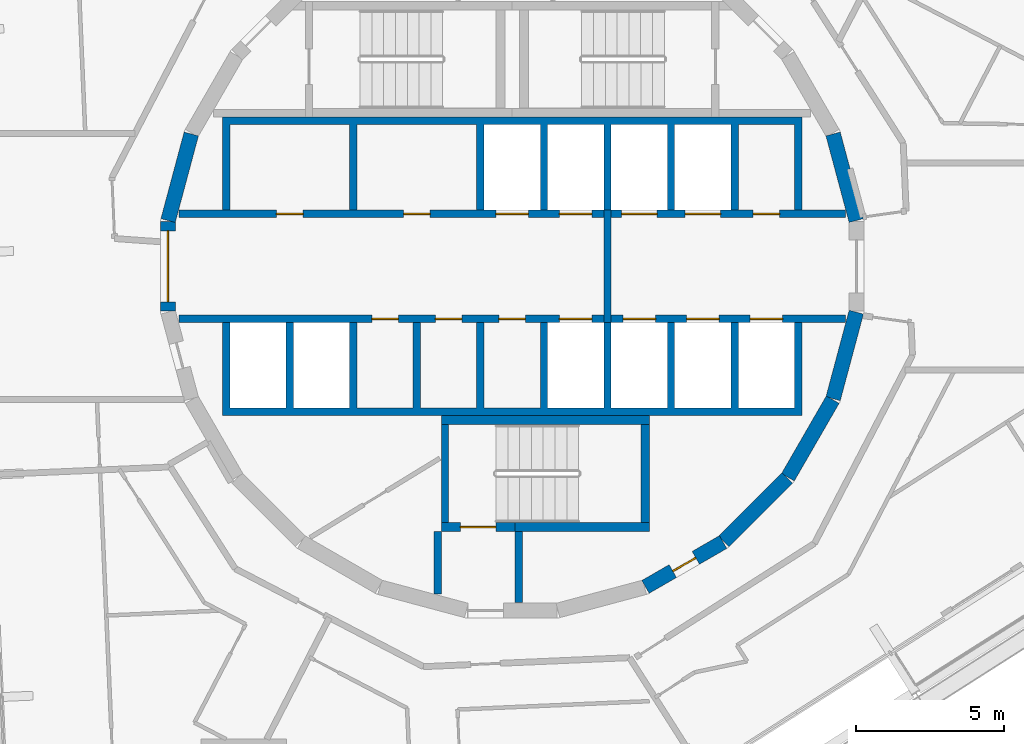
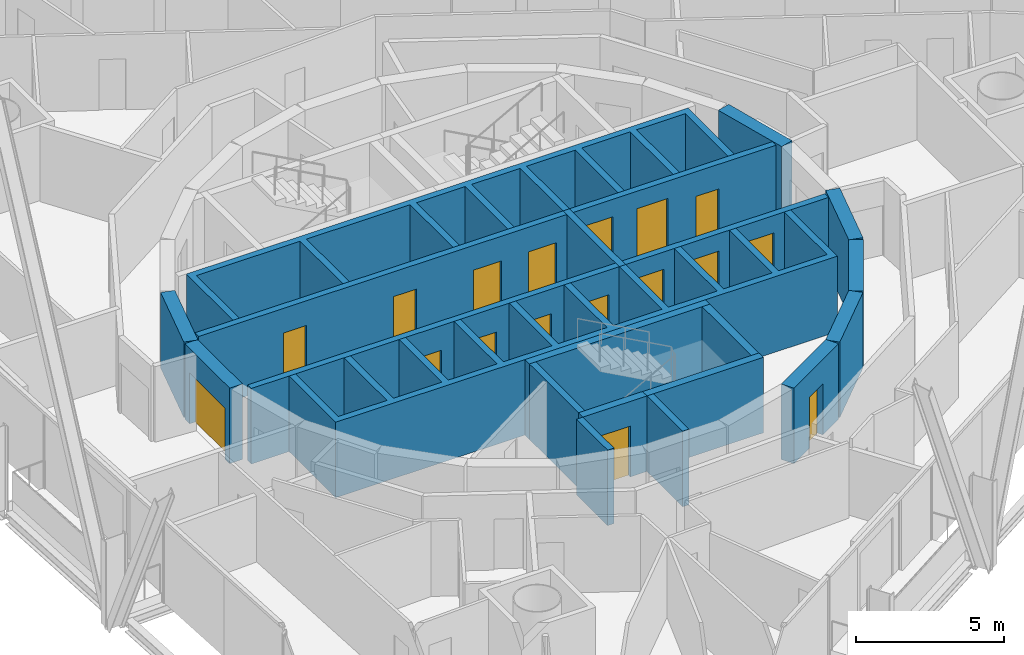
# One storey, part 13 of 18: 21 walls, 17 doors, 17 openings.
"""IFC4 building model written with IfcOpenShell, lengths in metres."""

from ifc_helpers import new_model, si_unit, direction, frame, frame_2d, origin, place, context, subcontext, project, spatial, polyline, rectangle, outline, extrude, material, layer, layer_set, type_object, element, fill, save


model = new_model("IFC4")

# Units and contexts
model_context = context("Model", 3, precision=1e-05, world=origin(), true_north=direction((0.0, 1.0)))
body_context = subcontext(model_context, "Body", "Model", "MODEL_VIEW")
ifc_project = project(units=[si_unit("LENGTHUNIT", "METRE"), si_unit("AREAUNIT", "SQUARE_METRE"), si_unit("VOLUMEUNIT", "CUBIC_METRE"), si_unit("PLANEANGLEUNIT", "RADIAN"), si_unit("MASSUNIT", "GRAM", prefix="KILO")], contexts=[model_context])

# Site, building, storey
site_placement = place(None, origin())
site = spatial("IfcSite", under=ifc_project, at=site_placement, CompositionType="ELEMENT")
building_placement = place(site_placement, origin())
building = spatial("IfcBuilding", under=site, at=building_placement, Name="Spindle Arch Residences", CompositionType="ELEMENT")
storey_placement = place(building_placement, frame((0.0, 0.0, 240.699951171875)))
storey = spatial("IfcBuildingStorey", under=building, at=storey_placement, Name="L61", CompositionType="ELEMENT", Elevation=240.699951171875)

# Wall, opening, door
ifc_material_1 = material(Name="Concrete C50/60", Category="concrete")
ifc_layer_1 = layer(ifc_material_1, 0.5)
ifc_layer_set_1 = layer_set([ifc_layer_1], Name="Core outline wall 500")
wall_type_1 = type_object("IfcWallType", Name="Core outline wall 500", PredefinedType="SHEAR", material=ifc_layer_set_1)
wall_1_placement = place(storey_placement, frame((4.510498046875, -10.84521484375, 0.0), z_axis=(0.0, 0.0, 1.0), x_axis=(0.865975092491, 0.500087131594, 0.0)))
wall_1 = element("IfcWall", 1, at=wall_1_placement, inside=storey, type_object=wall_type_1, Name="Core outline wall 2", PredefinedType="SHEAR", context=body_context, shape_type="SweptSolid", body=[
    extrude(rectangle(XDim=3.03271484375, YDim=0.5, at=frame_2d((1.516357421875, 0.0))), origin(), (0.0, 0.0, 1.0), 3.1201171875),
])
opening_1_placement = place(wall_1_placement, frame((1.06640625, 0.0, 0.0)))
opening_1 = element("IfcOpeningElement", 2, at=opening_1_placement, cuts=wall_1, Name="Opening R6B0-WD10", PredefinedType="OPENING", context=body_context, shape_type="SweptSolid", body=[
    extrude(rectangle(XDim=0.89990234375, YDim=2.10009765625, at=frame_2d((0.449951171875, 1.050048828125))), frame((0.0, 0.260009765625, 0.0), z_axis=(0.0, -1.0, 0.0), x_axis=(1.0, 0.0, 0.0)), (0.0, 0.0, 1.0), 0.52001953125),
])
ifc_material_2 = material(Name="Steel, fire-resisting door", Category="steel")
door_type_1 = type_object("IfcDoorType", Name="Service room door 900x2100", OperationType="SINGLE_SWING_LEFT", PredefinedType="DOOR", material=ifc_material_2)
door_1_placement = place(opening_1_placement, origin())
door_1 = element("IfcDoor", 3, at=door_1_placement, inside=storey, type_object=door_type_1, Name="Service room door R6B0-WD10", OperationType="SINGLE_SWING_RIGHT", OverallHeight=2.10009765625, OverallWidth=0.89990234375, PredefinedType="DOOR", context=body_context, shape_type="SweptSolid", body=[
    extrude(rectangle(XDim=0.89990234375, YDim=2.10009765625, at=frame_2d((0.449951171875, 1.050048828125))), frame((0.0, 0.02490234375, 0.0), z_axis=(0.0, -1.0, 0.0), x_axis=(1.0, 0.0, 0.0)), (0.0, 0.0, 1.0), 0.050048828125),
])
fill(opening_1, door_1)

# Walls
wall_2_placement = place(storey_placement, frame((7.163818359375, -9.30810546875, 0.0), z_axis=(0.0, 0.0, 1.0), x_axis=(0.707106781187, 0.707106781187, 0.0)))
element("IfcWall", 4, at=wall_2_placement, inside=storey, type_object=wall_type_1, Name="Core outline wall 3", PredefinedType="SHEAR", context=body_context, shape_type="SweptSolid", body=[
    extrude(rectangle(XDim=3.032470703125, YDim=0.5, at=frame_2d((1.51611328125, 0.0))), origin(), (0.0, 0.0, 1.0), 3.1201171875),
])
for number, where, z_axis, x_axis, name in (
    (5, (9.32861328125, -7.13671875, 0.0), (0.0, 0.0, 1.0), (0.500087131594, 0.865975092491, 0.0), "Core outline wall 4"),
    (6, (10.858154296875, -4.479248046875, 0.0), (0.0, 0.0, 1.0), (0.258734743916, 0.965948410781, 0.0), "Core outline wall 5"),
    (7, (11.642822265625, 1.5498046875, 0.0), (0.0, 0.0, 1.0), (-0.258734743916, 0.965948410781, 0.0), "Core outline wall 7"),
    (8, (-10.858154296875, 4.479248046875, 0.0), (0.0, 0.0, 1.0), (-0.258734743916, -0.965948410781, 0.0), "Core outline wall 17"),
):
    element("IfcWall", number, at=place(storey_placement, frame(where, z_axis=z_axis, x_axis=x_axis)), inside=storey, type_object=wall_type_1, Name=name, PredefinedType="SHEAR", context=body_context, shape_type="SweptSolid", body=[
        extrude(rectangle(XDim=3.03271484375, YDim=0.5, at=frame_2d((1.516357421875, 0.0))), origin(), (0.0, 0.0, 1.0), 3.1201171875),
    ])

# Wall, opening, door
wall_3_placement = place(storey_placement, frame((-11.647216796875, 1.516357421875, 0.0), z_axis=(0.0, 0.0, 1.0), x_axis=(0.0, -1.0, 0.0)))
wall_3 = element("IfcWall", 9, at=wall_3_placement, inside=storey, type_object=wall_type_1, Name="Core outline wall 18", PredefinedType="SHEAR", context=body_context, shape_type="SweptSolid", body=[
    extrude(rectangle(XDim=3.03271484375, YDim=0.5, at=frame_2d((1.516357421875, 0.0))), origin(), (0.0, 0.0, 1.0), 3.1201171875),
])
opening_2_placement = place(wall_3_placement, frame((0.31640625, 0.0, 0.0)))
opening_2 = element("IfcOpeningElement", 10, at=opening_2_placement, cuts=wall_3, Name="Opening R6B0-LE01", PredefinedType="OPENING", context=body_context, shape_type="SweptSolid", body=[
    extrude(rectangle(XDim=2.39990234375, YDim=2.10009765625, at=frame_2d((1.199951171875, 1.050048828125))), frame((0.0, 0.260009765625, 0.0), z_axis=(0.0, -1.0, 0.0), x_axis=(1.0, 0.0, 0.0)), (0.0, 0.0, 1.0), 0.52001953125),
])
ifc_material_3 = material(Name="Steel, fire-resisting door", Category="steel")
door_type_2 = type_object("IfcDoorType", Name="Lift lobby entrance door 2400x2100", OperationType="DOUBLE_DOOR_SINGLE_SWING", PredefinedType="DOOR", material=ifc_material_3)
door_2_placement = place(opening_2_placement, origin())
door_2 = element("IfcDoor", 11, at=door_2_placement, inside=storey, type_object=door_type_2, Name="Lift lobby entrance door R6B0-LE01", OperationType="DOUBLE_DOOR_SINGLE_SWING", OverallHeight=2.10009765625, OverallWidth=2.39990234375, PredefinedType="DOOR", context=body_context, shape_type="SweptSolid", body=[
    extrude(rectangle(XDim=2.39990234375, YDim=2.10009765625, at=frame_2d((1.199951171875, 1.050048828125))), frame((0.0, 0.02490234375, 0.0), z_axis=(0.0, -1.0, 0.0), x_axis=(1.0, 0.0, 0.0)), (0.0, 0.0, 1.0), 0.050048828125),
])
fill(opening_2, door_2)

# Wall, openings, doors
ifc_material_4 = material(Name="Concrete C40/50", Category="concrete")
ifc_layer_2 = layer(ifc_material_4, 0.25)
ifc_layer_set_2 = layer_set([ifc_layer_2], Name="Fire-lift lobby wall 250")
wall_type_2 = type_object("IfcWallType", Name="Fire-lift lobby wall 250", PredefinedType="SHEAR", material=ifc_layer_set_2)
wall_4_placement = place(storey_placement, frame((3.35009765625, 1.77490234375, 0.0), z_axis=(0.0, 0.0, 1.0), x_axis=(1.0, 0.0, 0.0)))
wall_4 = element("IfcWall", 12, at=wall_4_placement, inside=storey, type_object=wall_type_2, Name="Lift shaft front wall NE", PredefinedType="SHEAR", context=body_context, shape_type="SweptSolid", body=[
    extrude(rectangle(XDim=7.929931640625, YDim=0.25, at=frame_2d((3.96484375, 0.0))), origin(), (0.0, 0.0, 1.0), 3.1201171875),
])
opening_3_placement = place(wall_4_placement, frame((0.35009765625, 0.0, 0.0)))
opening_3 = element("IfcOpeningElement", 13, at=opening_3_placement, cuts=wall_4, Name="Opening R6B0-SLD01", PredefinedType="OPENING", context=body_context, shape_type="SweptSolid", body=[
    extrude(rectangle(XDim=1.199951171875, YDim=2.39990234375, at=frame_2d((0.60009765625, 1.199951171875))), frame((0.0, 0.135009765625, 0.0), z_axis=(0.0, -1.0, 0.0), x_axis=(1.0, 0.0, 0.0)), (0.0, 0.0, 1.0), 0.27001953125),
])
opening_4_placement = place(wall_4_placement, frame((2.5, 0.0, 0.0)))
opening_4 = element("IfcOpeningElement", 14, at=opening_4_placement, cuts=wall_4, Name="Opening R6B0-SLD02", PredefinedType="OPENING", context=body_context, shape_type="SweptSolid", body=[
    extrude(rectangle(XDim=1.199951171875, YDim=2.39990234375, at=frame_2d((0.60009765625, 1.199951171875))), frame((0.0, 0.135009765625, 0.0), z_axis=(0.0, -1.0, 0.0), x_axis=(1.0, 0.0, 0.0)), (0.0, 0.0, 1.0), 0.27001953125),
])
opening_5_placement = place(wall_4_placement, frame((4.800048828125, 0.0, 0.0)))
opening_5 = element("IfcOpeningElement", 15, at=opening_5_placement, cuts=wall_4, Name="Opening R6B0-WD03", PredefinedType="OPENING", context=body_context, shape_type="SweptSolid", body=[
    extrude(rectangle(XDim=0.89990234375, YDim=2.10009765625, at=frame_2d((0.449951171875, 1.050048828125))), frame((0.0, 0.135009765625, 0.0), z_axis=(0.0, -1.0, 0.0), x_axis=(1.0, 0.0, 0.0)), (0.0, 0.0, 1.0), 0.27001953125),
])
ifc_material_5 = material(Name="Steel, fire-resisting landing door", Category="steel")
door_type_3 = type_object("IfcDoorType", Name="Service lift landing door 1200x2400", OperationType="DOUBLE_DOOR_SLIDING", PredefinedType="DOOR", material=ifc_material_5)
door_3_placement = place(opening_3_placement, origin())
door_3 = element("IfcDoor", 16, at=door_3_placement, inside=storey, type_object=door_type_3, Name="Service lift landing door R6B0-SLD01", OperationType="DOUBLE_DOOR_SLIDING", OverallHeight=2.39990234375, OverallWidth=1.199951171875, PredefinedType="DOOR", context=body_context, shape_type="SweptSolid", body=[
    extrude(rectangle(XDim=1.199951171875, YDim=2.39990234375, at=frame_2d((0.60009765625, 1.199951171875))), frame((0.0, 0.02490234375, 0.0), z_axis=(0.0, -1.0, 0.0), x_axis=(1.0, 0.0, 0.0)), (0.0, 0.0, 1.0), 0.050048828125),
])
fill(opening_3, door_3)
door_4_placement = place(opening_4_placement, origin())
door_4 = element("IfcDoor", 17, at=door_4_placement, inside=storey, type_object=door_type_3, Name="Service lift landing door R6B0-SLD02", OperationType="DOUBLE_DOOR_SLIDING", OverallHeight=2.39990234375, OverallWidth=1.199951171875, PredefinedType="DOOR", context=body_context, shape_type="SweptSolid", body=[
    extrude(rectangle(XDim=1.199951171875, YDim=2.39990234375, at=frame_2d((0.60009765625, 1.199951171875))), frame((0.0, 0.02490234375, 0.0), z_axis=(0.0, -1.0, 0.0), x_axis=(1.0, 0.0, 0.0)), (0.0, 0.0, 1.0), 0.050048828125),
])
fill(opening_4, door_4)
door_5_placement = place(opening_5_placement, origin())
door_5 = element("IfcDoor", 18, at=door_5_placement, inside=storey, type_object=door_type_1, Name="Service room door R6B0-WD03", OperationType="SINGLE_SWING_LEFT", OverallHeight=2.10009765625, OverallWidth=0.89990234375, PredefinedType="DOOR", context=body_context, shape_type="SweptSolid", body=[
    extrude(rectangle(XDim=0.89990234375, YDim=2.10009765625, at=frame_2d((0.449951171875, 1.050048828125))), frame((0.0, 0.02490234375, 0.0), z_axis=(0.0, -1.0, 0.0), x_axis=(1.0, 0.0, 0.0)), (0.0, 0.0, 1.0), 0.050048828125),
])
fill(opening_5, door_5)

# Wall
wall_5_placement = place(storey_placement, frame((3.22509765625, -1.89990234375, 0.0), z_axis=(0.0, 0.0, 1.0), x_axis=(0.0, 1.0, 0.0)))
element("IfcWall", 19, at=wall_5_placement, inside=storey, type_object=wall_type_2, Name="Fire-fighting lobby partition", PredefinedType="SHEAR", context=body_context, shape_type="SweptSolid", body=[
    extrude(rectangle(XDim=3.7998046875, YDim=0.25, at=frame_2d((1.89990234375, 0.0))), origin(), (0.0, 0.0, 1.0), 3.1201171875),
])

# Wall, openings, doors
ifc_material_6 = material(Name="Concrete C50/60", Category="concrete")
ifc_layer_3 = layer(ifc_material_6, 0.25)
ifc_layer_set_3 = layer_set([ifc_layer_3], Name="Fire-lift shaft wall 250")
wall_type_3 = type_object("IfcWallType", Name="Fire-lift shaft wall 250", PredefinedType="SHEAR", material=ifc_layer_set_3)
wall_6_placement = place(storey_placement, frame((3.35009765625, -1.77490234375, 0.0), z_axis=(0.0, 0.0, 1.0), x_axis=(1.0, 0.0, 0.0)))
wall_6 = element("IfcWall", 20, at=wall_6_placement, inside=storey, type_object=wall_type_3, Name="Lift shaft front wall SE", PredefinedType="SHEAR", context=body_context, shape_type="SweptSolid", body=[
    extrude(rectangle(XDim=7.929931640625, YDim=0.25, at=frame_2d((3.96484375, 0.0))), origin(), (0.0, 0.0, 1.0), 3.1201171875),
])
opening_6_placement = place(wall_6_placement, frame((0.39990234375, 0.0, 0.0)))
opening_6 = element("IfcOpeningElement", 21, at=opening_6_placement, cuts=wall_6, Name="Opening R6B0-FLD01", PredefinedType="OPENING", context=body_context, shape_type="SweptSolid", body=[
    extrude(rectangle(XDim=1.10009765625, YDim=2.39990234375, at=frame_2d((0.550048828125, 1.199951171875))), frame((0.0, 0.135009765625, 0.0), z_axis=(0.0, -1.0, 0.0), x_axis=(1.0, 0.0, 0.0)), (0.0, 0.0, 1.0), 0.27001953125),
])
opening_7_placement = place(wall_6_placement, frame((2.550048828125, 0.0, 0.0)))
opening_7 = element("IfcOpeningElement", 22, at=opening_7_placement, cuts=wall_6, Name="Opening R6B0-FLD02", PredefinedType="OPENING", context=body_context, shape_type="SweptSolid", body=[
    extrude(rectangle(XDim=1.10009765625, YDim=2.39990234375, at=frame_2d((0.550048828125, 1.199951171875))), frame((0.0, 0.135009765625, 0.0), z_axis=(0.0, -1.0, 0.0), x_axis=(1.0, 0.0, 0.0)), (0.0, 0.0, 1.0), 0.27001953125),
])
opening_8_placement = place(wall_6_placement, frame((4.699951171875, 0.0, 0.0)))
opening_8 = element("IfcOpeningElement", 23, at=opening_8_placement, cuts=wall_6, Name="Opening R6B0-FLD03", PredefinedType="OPENING", context=body_context, shape_type="SweptSolid", body=[
    extrude(rectangle(XDim=1.10009765625, YDim=2.39990234375, at=frame_2d((0.550048828125, 1.199951171875))), frame((0.0, 0.135009765625, 0.0), z_axis=(0.0, -1.0, 0.0), x_axis=(1.0, 0.0, 0.0)), (0.0, 0.0, 1.0), 0.27001953125),
])
ifc_material_7 = material(Name="Steel, fire-resisting landing door", Category="steel")
door_type_4 = type_object("IfcDoorType", Name="Fire-fighting lift landing door 1100x2400", OperationType="DOUBLE_DOOR_SLIDING", PredefinedType="DOOR", material=ifc_material_7)
door_6_placement = place(opening_6_placement, origin())
door_6 = element("IfcDoor", 24, at=door_6_placement, inside=storey, type_object=door_type_4, Name="Fire-fighting lift landing door R6B0-FLD01", OperationType="DOUBLE_DOOR_SLIDING", OverallHeight=2.39990234375, OverallWidth=1.10009765625, PredefinedType="DOOR", context=body_context, shape_type="SweptSolid", body=[
    extrude(rectangle(XDim=1.10009765625, YDim=2.39990234375, at=frame_2d((0.550048828125, 1.199951171875))), frame((0.0, 0.02490234375, 0.0), z_axis=(0.0, -1.0, 0.0), x_axis=(1.0, 0.0, 0.0)), (0.0, 0.0, 1.0), 0.050048828125),
])
fill(opening_6, door_6)
door_7_placement = place(opening_7_placement, origin())
door_7 = element("IfcDoor", 25, at=door_7_placement, inside=storey, type_object=door_type_4, Name="Fire-fighting lift landing door R6B0-FLD02", OperationType="DOUBLE_DOOR_SLIDING", OverallHeight=2.39990234375, OverallWidth=1.10009765625, PredefinedType="DOOR", context=body_context, shape_type="SweptSolid", body=[
    extrude(rectangle(XDim=1.10009765625, YDim=2.39990234375, at=frame_2d((0.550048828125, 1.199951171875))), frame((0.0, 0.02490234375, 0.0), z_axis=(0.0, -1.0, 0.0), x_axis=(1.0, 0.0, 0.0)), (0.0, 0.0, 1.0), 0.050048828125),
])
fill(opening_7, door_7)
door_8_placement = place(opening_8_placement, origin())
door_8 = element("IfcDoor", 26, at=door_8_placement, inside=storey, type_object=door_type_4, Name="Fire-fighting lift landing door R6B0-FLD03", OperationType="DOUBLE_DOOR_SLIDING", OverallHeight=2.39990234375, OverallWidth=1.10009765625, PredefinedType="DOOR", context=body_context, shape_type="SweptSolid", body=[
    extrude(rectangle(XDim=1.10009765625, YDim=2.39990234375, at=frame_2d((0.550048828125, 1.199951171875))), frame((0.0, 0.02490234375, 0.0), z_axis=(0.0, -1.0, 0.0), x_axis=(1.0, 0.0, 0.0)), (0.0, 0.0, 1.0), 0.050048828125),
])
fill(opening_8, door_8)

ifc_material_8 = material(Name="Concrete C50/60", Category="concrete")
ifc_layer_4 = layer(ifc_material_8, 0.25)
ifc_layer_set_4 = layer_set([ifc_layer_4], Name="Lift shaft wall 250")
wall_type_4 = type_object("IfcWallType", Name="Lift shaft wall 250", PredefinedType="SHEAR", material=ifc_layer_set_4)
wall_7_placement = place(storey_placement, frame((-11.280029296875, 1.77490234375, 0.0), z_axis=(0.0, 0.0, 1.0), x_axis=(1.0, 0.0, 0.0)))
wall_7 = element("IfcWall", 27, at=wall_7_placement, inside=storey, type_object=wall_type_4, Name="Lift shaft front wall NW", PredefinedType="SHEAR", context=body_context, shape_type="SweptSolid", body=[
    extrude(rectangle(XDim=14.380126953125, YDim=0.25, at=frame_2d((7.18994140625, 0.0))), origin(), (0.0, 0.0, 1.0), 3.1201171875),
])
opening_9_placement = place(wall_7_placement, frame((10.72998046875, 0.0, 0.0)))
opening_9 = element("IfcOpeningElement", 28, at=opening_9_placement, cuts=wall_7, Name="Opening R6B0-LD01", PredefinedType="OPENING", context=body_context, shape_type="SweptSolid", body=[
    extrude(rectangle(XDim=1.10009765625, YDim=2.10009765625, at=frame_2d((0.550048828125, 1.050048828125))), frame((0.0, 0.135009765625, 0.0), z_axis=(0.0, -1.0, 0.0), x_axis=(1.0, 0.0, 0.0)), (0.0, 0.0, 1.0), 0.27001953125),
])
opening_10_placement = place(wall_7_placement, frame((12.8798828125, 0.0, 0.0)))
opening_10 = element("IfcOpeningElement", 29, at=opening_10_placement, cuts=wall_7, Name="Opening R6B0-LD02", PredefinedType="OPENING", context=body_context, shape_type="SweptSolid", body=[
    extrude(rectangle(XDim=1.10009765625, YDim=2.10009765625, at=frame_2d((0.550048828125, 1.050048828125))), frame((0.0, 0.135009765625, 0.0), z_axis=(0.0, -1.0, 0.0), x_axis=(1.0, 0.0, 0.0)), (0.0, 0.0, 1.0), 0.27001953125),
])
opening_11_placement = place(wall_7_placement, frame((3.304931640625, 0.0, 0.0)))
opening_11 = element("IfcOpeningElement", 30, at=opening_11_placement, cuts=wall_7, Name="Opening R6B0-WD01", PredefinedType="OPENING", context=body_context, shape_type="SweptSolid", body=[
    extrude(rectangle(XDim=0.89990234375, YDim=2.10009765625, at=frame_2d((0.449951171875, 1.050048828125))), frame((0.0, 0.135009765625, 0.0), z_axis=(0.0, -1.0, 0.0), x_axis=(1.0, 0.0, 0.0)), (0.0, 0.0, 1.0), 0.27001953125),
])
opening_12_placement = place(wall_7_placement, frame((7.60498046875, 0.0, 0.0)))
opening_12 = element("IfcOpeningElement", 31, at=opening_12_placement, cuts=wall_7, Name="Opening R6B0-WD02", PredefinedType="OPENING", context=body_context, shape_type="SweptSolid", body=[
    extrude(rectangle(XDim=0.89990234375, YDim=2.10009765625, at=frame_2d((0.449951171875, 1.050048828125))), frame((0.0, 0.135009765625, 0.0), z_axis=(0.0, -1.0, 0.0), x_axis=(1.0, 0.0, 0.0)), (0.0, 0.0, 1.0), 0.27001953125),
])
ifc_material_9 = material(Name="Steel, fire-resisting landing door", Category="steel")
door_type_5 = type_object("IfcDoorType", Name="Lift landing door 1100x2100", OperationType="DOUBLE_DOOR_SLIDING", PredefinedType="DOOR", material=ifc_material_9)
door_9_placement = place(opening_9_placement, origin())
door_9 = element("IfcDoor", 32, at=door_9_placement, inside=storey, type_object=door_type_5, Name="Lift landing door R6B0-LD01", OperationType="DOUBLE_DOOR_SLIDING", OverallHeight=2.10009765625, OverallWidth=1.10009765625, PredefinedType="DOOR", context=body_context, shape_type="SweptSolid", body=[
    extrude(rectangle(XDim=1.10009765625, YDim=2.10009765625, at=frame_2d((0.550048828125, 1.050048828125))), frame((0.0, 0.02490234375, 0.0), z_axis=(0.0, -1.0, 0.0), x_axis=(1.0, 0.0, 0.0)), (0.0, 0.0, 1.0), 0.050048828125),
])
fill(opening_9, door_9)
door_10_placement = place(opening_10_placement, origin())
door_10 = element("IfcDoor", 33, at=door_10_placement, inside=storey, type_object=door_type_5, Name="Lift landing door R6B0-LD02", OperationType="DOUBLE_DOOR_SLIDING", OverallHeight=2.10009765625, OverallWidth=1.10009765625, PredefinedType="DOOR", context=body_context, shape_type="SweptSolid", body=[
    extrude(rectangle(XDim=1.10009765625, YDim=2.10009765625, at=frame_2d((0.550048828125, 1.050048828125))), frame((0.0, 0.02490234375, 0.0), z_axis=(0.0, -1.0, 0.0), x_axis=(1.0, 0.0, 0.0)), (0.0, 0.0, 1.0), 0.050048828125),
])
fill(opening_10, door_10)
door_11_placement = place(opening_11_placement, origin())
door_11 = element("IfcDoor", 34, at=door_11_placement, inside=storey, type_object=door_type_1, Name="Service room door R6B0-WD01", OperationType="SINGLE_SWING_LEFT", OverallHeight=2.10009765625, OverallWidth=0.89990234375, PredefinedType="DOOR", context=body_context, shape_type="SweptSolid", body=[
    extrude(rectangle(XDim=0.89990234375, YDim=2.10009765625, at=frame_2d((0.449951171875, 1.050048828125))), frame((0.0, 0.02490234375, 0.0), z_axis=(0.0, -1.0, 0.0), x_axis=(1.0, 0.0, 0.0)), (0.0, 0.0, 1.0), 0.050048828125),
])
fill(opening_11, door_11)
door_12_placement = place(opening_12_placement, origin())
door_12 = element("IfcDoor", 35, at=door_12_placement, inside=storey, type_object=door_type_1, Name="Service room door R6B0-WD02", OperationType="SINGLE_SWING_RIGHT", OverallHeight=2.10009765625, OverallWidth=0.89990234375, PredefinedType="DOOR", context=body_context, shape_type="SweptSolid", body=[
    extrude(rectangle(XDim=0.89990234375, YDim=2.10009765625, at=frame_2d((0.449951171875, 1.050048828125))), frame((0.0, 0.02490234375, 0.0), z_axis=(0.0, -1.0, 0.0), x_axis=(1.0, 0.0, 0.0)), (0.0, 0.0, 1.0), 0.050048828125),
])
fill(opening_12, door_12)

wall_8_placement = place(storey_placement, frame((-11.280029296875, -1.77490234375, 0.0), z_axis=(0.0, 0.0, 1.0), x_axis=(1.0, 0.0, 0.0)))
wall_8 = element("IfcWall", 36, at=wall_8_placement, inside=storey, type_object=wall_type_4, Name="Lift shaft front wall SW", PredefinedType="SHEAR", context=body_context, shape_type="SweptSolid", body=[
    extrude(rectangle(XDim=14.380126953125, YDim=0.25, at=frame_2d((7.18994140625, 0.0))), origin(), (0.0, 0.0, 1.0), 3.1201171875),
])
opening_13_placement = place(wall_8_placement, frame((12.8798828125, 0.0, 0.0)))
opening_13 = element("IfcOpeningElement", 37, at=opening_13_placement, cuts=wall_8, Name="Opening R6B0-LD03", PredefinedType="OPENING", context=body_context, shape_type="SweptSolid", body=[
    extrude(rectangle(XDim=1.10009765625, YDim=2.10009765625, at=frame_2d((0.550048828125, 1.050048828125))), frame((0.0, 0.135009765625, 0.0), z_axis=(0.0, -1.0, 0.0), x_axis=(1.0, 0.0, 0.0)), (0.0, 0.0, 1.0), 0.27001953125),
])
opening_14_placement = place(wall_8_placement, frame((6.530029296875, 0.0, 0.0)))
opening_14 = element("IfcOpeningElement", 38, at=opening_14_placement, cuts=wall_8, Name="Opening R6B0-WD04", PredefinedType="OPENING", context=body_context, shape_type="SweptSolid", body=[
    extrude(rectangle(XDim=0.89990234375, YDim=2.10009765625, at=frame_2d((0.449951171875, 1.050048828125))), frame((0.0, 0.135009765625, 0.0), z_axis=(0.0, -1.0, 0.0), x_axis=(1.0, 0.0, 0.0)), (0.0, 0.0, 1.0), 0.27001953125),
])
opening_15_placement = place(wall_8_placement, frame((8.679931640625, 0.0, 0.0)))
opening_15 = element("IfcOpeningElement", 39, at=opening_15_placement, cuts=wall_8, Name="Opening R6B0-WD05", PredefinedType="OPENING", context=body_context, shape_type="SweptSolid", body=[
    extrude(rectangle(XDim=0.89990234375, YDim=2.10009765625, at=frame_2d((0.449951171875, 1.050048828125))), frame((0.0, 0.135009765625, 0.0), z_axis=(0.0, -1.0, 0.0), x_axis=(1.0, 0.0, 0.0)), (0.0, 0.0, 1.0), 0.27001953125),
])
opening_16_placement = place(wall_8_placement, frame((10.830078125, 0.0, 0.0)))
opening_16 = element("IfcOpeningElement", 40, at=opening_16_placement, cuts=wall_8, Name="Opening R6B0-WD06", PredefinedType="OPENING", context=body_context, shape_type="SweptSolid", body=[
    extrude(rectangle(XDim=0.89990234375, YDim=2.10009765625, at=frame_2d((0.449951171875, 1.050048828125))), frame((0.0, 0.135009765625, 0.0), z_axis=(0.0, -1.0, 0.0), x_axis=(1.0, 0.0, 0.0)), (0.0, 0.0, 1.0), 0.27001953125),
])
door_13_placement = place(opening_13_placement, origin())
door_13 = element("IfcDoor", 41, at=door_13_placement, inside=storey, type_object=door_type_5, Name="Lift landing door R6B0-LD03", OperationType="DOUBLE_DOOR_SLIDING", OverallHeight=2.10009765625, OverallWidth=1.10009765625, PredefinedType="DOOR", context=body_context, shape_type="SweptSolid", body=[
    extrude(rectangle(XDim=1.10009765625, YDim=2.10009765625, at=frame_2d((0.550048828125, 1.050048828125))), frame((0.0, 0.02490234375, 0.0), z_axis=(0.0, -1.0, 0.0), x_axis=(1.0, 0.0, 0.0)), (0.0, 0.0, 1.0), 0.050048828125),
])
fill(opening_13, door_13)
door_14_placement = place(opening_14_placement, origin())
door_14 = element("IfcDoor", 42, at=door_14_placement, inside=storey, type_object=door_type_1, Name="Service room door R6B0-WD04", OperationType="SINGLE_SWING_RIGHT", OverallHeight=2.10009765625, OverallWidth=0.89990234375, PredefinedType="DOOR", context=body_context, shape_type="SweptSolid", body=[
    extrude(rectangle(XDim=0.89990234375, YDim=2.10009765625, at=frame_2d((0.449951171875, 1.050048828125))), frame((0.0, 0.02490234375, 0.0), z_axis=(0.0, -1.0, 0.0), x_axis=(1.0, 0.0, 0.0)), (0.0, 0.0, 1.0), 0.050048828125),
])
fill(opening_14, door_14)
door_15_placement = place(opening_15_placement, origin())
door_15 = element("IfcDoor", 43, at=door_15_placement, inside=storey, type_object=door_type_1, Name="Service room door R6B0-WD05", OperationType="SINGLE_SWING_LEFT", OverallHeight=2.10009765625, OverallWidth=0.89990234375, PredefinedType="DOOR", context=body_context, shape_type="SweptSolid", body=[
    extrude(rectangle(XDim=0.89990234375, YDim=2.10009765625, at=frame_2d((0.449951171875, 1.050048828125))), frame((0.0, 0.02490234375, 0.0), z_axis=(0.0, -1.0, 0.0), x_axis=(1.0, 0.0, 0.0)), (0.0, 0.0, 1.0), 0.050048828125),
])
fill(opening_15, door_15)
door_16_placement = place(opening_16_placement, origin())
door_16 = element("IfcDoor", 44, at=door_16_placement, inside=storey, type_object=door_type_1, Name="Service room door R6B0-WD06", OperationType="SINGLE_SWING_RIGHT", OverallHeight=2.10009765625, OverallWidth=0.89990234375, PredefinedType="DOOR", context=body_context, shape_type="SweptSolid", body=[
    extrude(rectangle(XDim=0.89990234375, YDim=2.10009765625, at=frame_2d((0.449951171875, 1.050048828125))), frame((0.0, 0.02490234375, 0.0), z_axis=(0.0, -1.0, 0.0), x_axis=(1.0, 0.0, 0.0)), (0.0, 0.0, 1.0), 0.050048828125),
])
fill(opening_16, door_16)

# Walls
ifc_material_10 = material(Name="Concrete C50/60", Category="concrete")
wall_type_5 = type_object("IfcWallType", Name="Lift shaft wall profile", PredefinedType="SHEAR", material=ifc_material_10)
wall_9_placement = place(storey_placement, origin())
element("IfcWall", 45, at=wall_9_placement, inside=storey, type_object=wall_type_5, Name="Lift shaft walls N", PredefinedType="SHEAR", context=body_context, shape_type="SweptSolid", body=[
    extrude(outline(polyline([(-9.550048828125, 4.800048828125), (-5.5, 4.800048828125), (-5.5, 1.89990234375), (-5.25, 1.89990234375), (-5.25, 4.800048828125), (-1.199951171875, 4.800048828125), (-1.199951171875, 1.89990234375), (-0.949951171875, 1.89990234375), (-0.949951171875, 4.800048828125), (0.949951171875, 4.800048828125), (0.949951171875, 1.89990234375), (1.199951171875, 1.89990234375), (1.199951171875, 4.800048828125), (3.10009765625, 4.800048828125), (3.10009765625, 1.89990234375), (3.35009765625, 1.89990234375), (3.35009765625, 4.800048828125), (5.25, 4.800048828125), (5.25, 1.89990234375), (5.5, 1.89990234375), (5.5, 4.800048828125), (7.39990234375, 4.800048828125), (7.39990234375, 1.89990234375), (7.64990234375, 1.89990234375), (7.64990234375, 4.800048828125), (9.550048828125, 4.800048828125), (9.550048828125, 1.89990234375), (9.800048828125, 1.89990234375), (9.800048828125, 4.800048828125), (9.800048828125, 5.050048828125), (-9.800048828125, 5.050048828125), (-9.800048828125, 4.800048828125), (-9.800048828125, 1.89990234375), (-9.550048828125, 1.89990234375), (-9.550048828125, 4.800048828125)])), origin(), (0.0, 0.0, 1.0), 3.1201171875),
])
wall_10_placement = place(storey_placement, origin())
element("IfcWall", 46, at=wall_10_placement, inside=storey, type_object=wall_type_5, Name="Lift shaft walls S", PredefinedType="SHEAR", context=body_context, shape_type="SweptSolid", body=[
    extrude(outline(polyline([(9.800048828125, -5.050048828125), (9.800048828125, -4.800048828125), (9.800048828125, -1.89990234375), (9.550048828125, -1.89990234375), (9.550048828125, -4.800048828125), (7.64990234375, -4.800048828125), (7.64990234375, -1.89990234375), (7.39990234375, -1.89990234375), (7.39990234375, -4.800048828125), (5.5, -4.800048828125), (5.5, -1.89990234375), (5.25, -1.89990234375), (5.25, -4.800048828125), (3.35009765625, -4.800048828125), (3.35009765625, -1.89990234375), (3.10009765625, -1.89990234375), (3.10009765625, -4.800048828125), (1.199951171875, -4.800048828125), (1.199951171875, -1.89990234375), (0.949951171875, -1.89990234375), (0.949951171875, -4.800048828125), (-0.949951171875, -4.800048828125), (-0.949951171875, -1.89990234375), (-1.199951171875, -1.89990234375), (-1.199951171875, -4.800048828125), (-3.10009765625, -4.800048828125), (-3.10009765625, -1.89990234375), (-3.35009765625, -1.89990234375), (-3.35009765625, -4.800048828125), (-5.25, -4.800048828125), (-5.25, -1.89990234375), (-5.5, -1.89990234375), (-5.5, -4.800048828125), (-7.39990234375, -4.800048828125), (-7.39990234375, -1.89990234375), (-7.64990234375, -1.89990234375), (-7.64990234375, -4.800048828125), (-9.550048828125, -4.800048828125), (-9.550048828125, -1.89990234375), (-9.800048828125, -1.89990234375), (-9.800048828125, -4.800048828125), (-9.800048828125, -5.050048828125), (9.800048828125, -5.050048828125)])), origin(), (0.0, 0.0, 1.0), 3.1201171875),
])
ifc_material_11 = material(Name="Concrete C40/50", Category="concrete")
ifc_layer_5 = layer(ifc_material_11, 0.25)
ifc_layer_set_5 = layer_set([ifc_layer_5], Name="Stair airlock wall 250")
wall_type_6 = type_object("IfcWallType", Name="Stair airlock wall 250", PredefinedType="SHEAR", material=ifc_layer_set_5)
wall_11_placement = place(storey_placement, frame((-2.52490234375, -8.969970703125, 0.0), z_axis=(0.0, 0.0, 1.0), x_axis=(0.0, -1.0, 0.0)))
element("IfcWall", 47, at=wall_11_placement, inside=storey, type_object=wall_type_6, Name="Stair ST-3 airlock wall W", PredefinedType="SHEAR", context=body_context, shape_type="SweptSolid", body=[
    extrude(rectangle(XDim=2.110107421875, YDim=0.25, at=frame_2d((1.05517578125, 0.0))), origin(), (0.0, 0.0, 1.0), 3.1201171875),
])
wall_12_placement = place(storey_placement, frame((0.22509765625, -8.969970703125, 0.0), z_axis=(0.0, 0.0, 1.0), x_axis=(0.0, -1.0, 0.0)))
element("IfcWall", 48, at=wall_12_placement, inside=storey, type_object=wall_type_6, Name="Stair ST-3 airlock wall E", PredefinedType="SHEAR", context=body_context, shape_type="SweptSolid", body=[
    extrude(rectangle(XDim=2.409912109375, YDim=0.25, at=frame_2d((1.205078125, 0.0))), origin(), (0.0, 0.0, 1.0), 3.1201171875),
])
ifc_material_12 = material(Name="Concrete C50/60", Category="concrete")
ifc_layer_6 = layer(ifc_material_12, 0.25)
ifc_layer_set_6 = layer_set([ifc_layer_6], Name="Stair enclosure wall 250")
wall_type_7 = type_object("IfcWallType", Name="Stair enclosure wall 250", PredefinedType="SHEAR", material=ifc_layer_set_6)
wall_13_placement = place(storey_placement, frame((-2.27490234375, -8.669921875, 0.0), z_axis=(0.0, 0.0, 1.0), x_axis=(0.0, 1.0, 0.0)))
element("IfcWall", 49, at=wall_13_placement, inside=storey, type_object=wall_type_7, Name="Stair ST-3 enclosure wall W", PredefinedType="SHEAR", context=body_context, shape_type="SweptSolid", body=[
    extrude(rectangle(XDim=3.31982421875, YDim=0.25, at=frame_2d((1.659912109375, 0.0))), origin(), (0.0, 0.0, 1.0), 3.1201171875),
])
ifc_material_13 = material(Name="Concrete C50/60", Category="concrete")
ifc_layer_7 = layer(ifc_material_13, 0.300048828125)
ifc_layer_set_7 = layer_set([ifc_layer_7], Name="Stair enclosure wall 300")
wall_type_8 = type_object("IfcWallType", Name="Stair enclosure wall 300", PredefinedType="SHEAR", material=ifc_layer_set_7)
wall_14_placement = place(storey_placement, frame((-2.39990234375, -5.199951171875, 0.0), z_axis=(0.0, 0.0, 1.0), x_axis=(1.0, 0.0, 0.0)))
element("IfcWall", 50, at=wall_14_placement, inside=storey, type_object=wall_type_8, Name="Stair ST-3 enclosure wall N", PredefinedType="SHEAR", context=body_context, shape_type="SweptSolid", body=[
    extrude(rectangle(XDim=7.0498046875, YDim=0.300048828125, at=frame_2d((3.52490234375, 0.0))), origin(), (0.0, 0.0, 1.0), 3.1201171875),
])
wall_15_placement = place(storey_placement, frame((4.5, -8.669921875, 0.0), z_axis=(0.0, 0.0, 1.0), x_axis=(0.0, 1.0, 0.0)))
element("IfcWall", 51, at=wall_15_placement, inside=storey, type_object=wall_type_8, Name="Stair ST-3 enclosure wall E", PredefinedType="SHEAR", context=body_context, shape_type="SweptSolid", body=[
    extrude(rectangle(XDim=3.31982421875, YDim=0.300048828125, at=frame_2d((1.659912109375, 0.0))), origin(), (0.0, 0.0, 1.0), 3.1201171875),
])
wall_16_placement = place(storey_placement, frame((0.10009765625, -8.820068359375, 0.0), z_axis=(0.0, 0.0, 1.0), x_axis=(1.0, 0.0, 0.0)))
element("IfcWall", 52, at=wall_16_placement, inside=storey, type_object=wall_type_8, Name="Stair ST-3 enclosure wall S", PredefinedType="SHEAR", context=body_context, shape_type="SweptSolid", body=[
    extrude(rectangle(XDim=4.5498046875, YDim=0.300048828125, at=frame_2d((2.27490234375, 0.0))), origin(), (0.0, 0.0, 1.0), 3.1201171875),
])

# Wall, opening, door
wall_17_placement = place(storey_placement, frame((-2.39990234375, -8.820068359375, 0.0), z_axis=(0.0, 0.0, 1.0), x_axis=(1.0, 0.0, 0.0)))
wall_17 = element("IfcWall", 53, at=wall_17_placement, inside=storey, type_object=wall_type_8, Name="Stair ST-3 door wall", PredefinedType="SHEAR", context=body_context, shape_type="SweptSolid", body=[
    extrude(rectangle(XDim=2.5, YDim=0.300048828125, at=frame_2d((1.25, 0.0))), origin(), (0.0, 0.0, 1.0), 3.1201171875),
])
opening_17_placement = place(wall_17_placement, frame((0.64990234375, 0.0, 0.0)))
opening_17 = element("IfcOpeningElement", 54, at=opening_17_placement, cuts=wall_17, Name="Opening R6B0-SD03", PredefinedType="OPENING", context=body_context, shape_type="SweptSolid", body=[
    extrude(rectangle(XDim=1.199951171875, YDim=2.10009765625, at=frame_2d((0.60009765625, 1.050048828125))), frame((0.0, 0.16015625, 0.0), z_axis=(0.0, -1.0, 0.0), x_axis=(1.0, 0.0, 0.0)), (0.0, 0.0, 1.0), 0.320068359375),
])
ifc_material_14 = material(Name="Steel, fire-resisting door", Category="steel")
door_type_6 = type_object("IfcDoorType", Name="Stair door 1200x2100", OperationType="SINGLE_SWING_RIGHT", PredefinedType="DOOR", material=ifc_material_14)
door_17_placement = place(opening_17_placement, origin())
door_17 = element("IfcDoor", 55, at=door_17_placement, inside=storey, type_object=door_type_6, Name="Stair door R6B0-SD03", OperationType="SINGLE_SWING_LEFT", OverallHeight=2.10009765625, OverallWidth=1.199951171875, PredefinedType="DOOR", context=body_context, shape_type="SweptSolid", body=[
    extrude(rectangle(XDim=1.199951171875, YDim=2.10009765625, at=frame_2d((0.60009765625, 1.050048828125))), frame((0.0, 0.02490234375, 0.0), z_axis=(0.0, -1.0, 0.0), x_axis=(1.0, 0.0, 0.0)), (0.0, 0.0, 1.0), 0.050048828125),
])
fill(opening_17, door_17)

save(model, "model.ifc")
